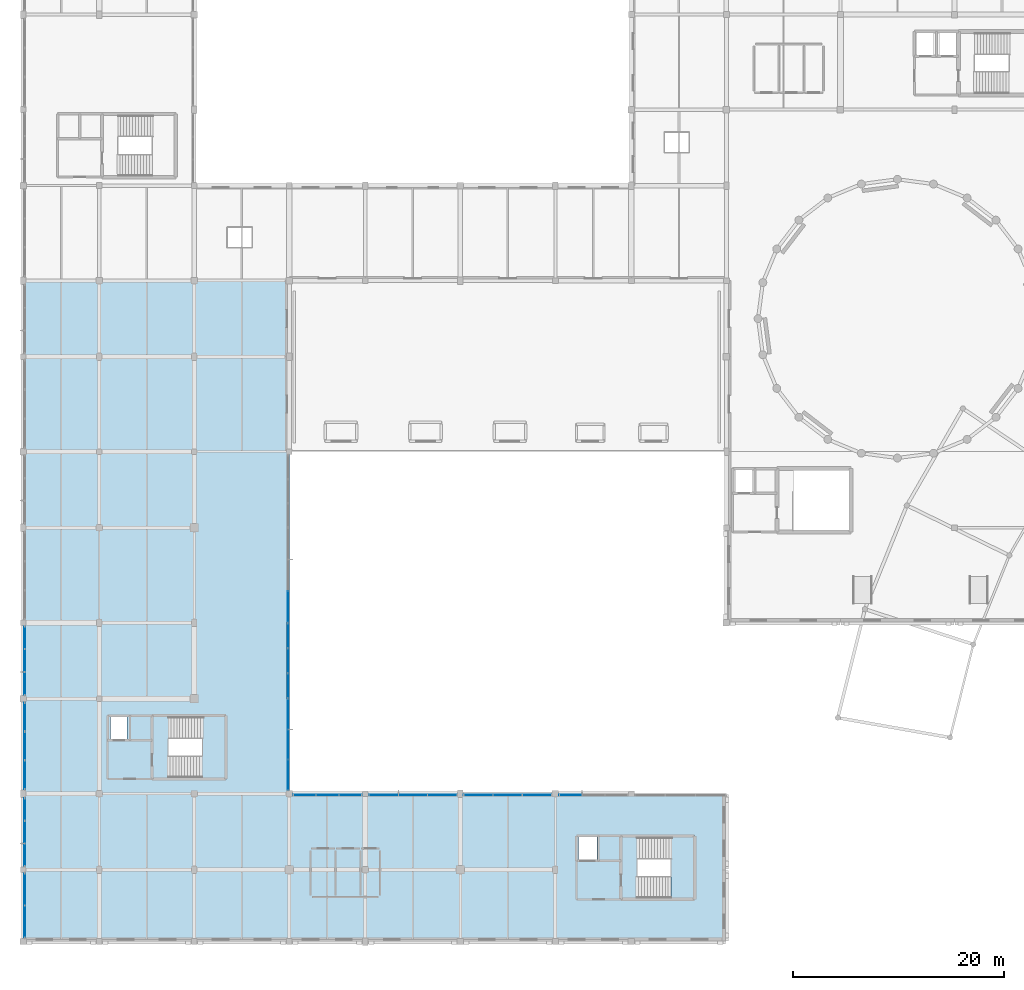
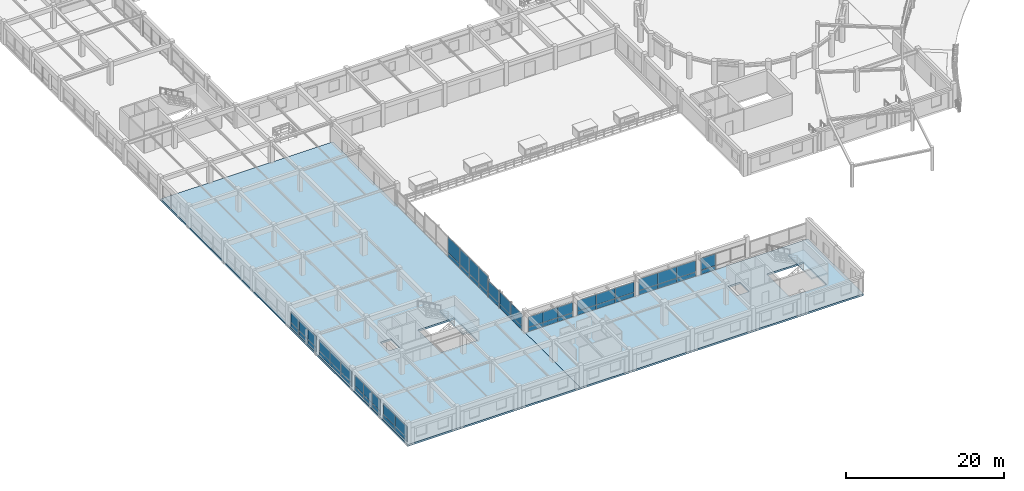
# One storey, part 42 of 74: 56 plates, 4 slabs, 13 elements without a shape of their own.
"""IFC4 building model written with IfcOpenShell, lengths in metres."""

from ifc_helpers import new_model, si_unit, direction, frame, frame_2d, origin, place, context, subcontext, project, spatial, polyline, rectangle, outline, extrude, material, layer, layer_set, type_object, element, aggregate, save


model = new_model("IFC4")

# Units and contexts
model_context = context("Model", 3, precision=1e-05, world=origin(), true_north=direction((0.0, 1.0)))
body_context = subcontext(model_context, "Body", "Model", "MODEL_VIEW")
ifc_project = project(units=[si_unit("LENGTHUNIT", "METRE"), si_unit("AREAUNIT", "SQUARE_METRE"), si_unit("VOLUMEUNIT", "CUBIC_METRE"), si_unit("PLANEANGLEUNIT", "RADIAN"), si_unit("MASSUNIT", "GRAM", prefix="KILO")], contexts=[model_context])

# Site, building, storey
site_placement = place(None, origin())
site = spatial("IfcSite", under=ifc_project, at=site_placement, CompositionType="ELEMENT")
building_placement = place(site_placement, origin())
building = spatial("IfcBuilding", under=site, at=building_placement, Name="Clarverna Civic Hall", CompositionType="ELEMENT")
storey_placement = place(building_placement, frame((0.0, 0.0, 9.60009765625)))
storey = spatial("IfcBuildingStorey", under=building, at=storey_placement, Name="L02", CompositionType="ELEMENT", Elevation=9.60009765625)

# Curtain wall, plates
ifc_material_1 = material(Name="Anodised Bronze Architectural Aluminium", Category="aluminium")
curtain_wall_type = type_object("IfcCurtainWallType", Name="CW-01", PredefinedType="USERDEFINED", material=ifc_material_1)
curtain_wall_1_placement = place(storey_placement, origin())
curtain_wall_1 = element("IfcCurtainWall", 1, at=curtain_wall_1_placement, inside=storey, type_object=curtain_wall_type, Name="CW-01-015", ObjectType="UNITISED CURTAIN WALL", PredefinedType="USERDEFINED")
ifc_material_2 = material(Name="Solar-Control Argon Low-E Double Glazing", Category="glass")
ifc_layer_1 = layer(ifc_material_2, 0.031982421875)
ifc_layer_set_1 = layer_set([ifc_layer_1], Name="Solar-Control Argon Low-E Double Glazing")
plate_type_1 = type_object("IfcPlateType", Name="CWP-01", PredefinedType="CURTAIN_PANEL", material=ifc_layer_set_1)
plate_1_placement = place(storey_placement, frame((0.139892578125, 0.387939453125, 0.764892578125), z_axis=(0.0, 0.0, 1.0), x_axis=(0.0, 1.0, 0.0)))
plate_1 = element("IfcPlate", 2, at=plate_1_placement, type_object=plate_type_1, Name="CWP-01-201", PredefinedType="CURTAIN_PANEL", context=body_context, shape_type="SweptSolid", body=[
    extrude(rectangle(XDim=3.009521484375, YDim=0.031982421875, at=frame_2d((1.5048828125, 0.0))), origin(), (0.0, 0.0, 1.0), 1.72509765625),
])
plate_2_placement = place(storey_placement, frame((0.139892578125, 3.427490234375, 0.764892578125), z_axis=(0.0, 0.0, 1.0), x_axis=(0.0, 1.0, 0.0)))
plate_2 = element("IfcPlate", 3, at=plate_2_placement, type_object=plate_type_1, Name="CWP-01-202", PredefinedType="CURTAIN_PANEL", context=body_context, shape_type="SweptSolid", body=[
    extrude(rectangle(XDim=3.009521484375, YDim=0.031982421875, at=frame_2d((1.5048828125, 0.0))), origin(), (0.0, 0.0, 1.0), 1.72509765625),
])

curtain_wall_2_placement = place(storey_placement, origin())
curtain_wall_2 = element("IfcCurtainWall", 4, at=curtain_wall_2_placement, inside=storey, type_object=curtain_wall_type, Name="CW-01-016", ObjectType="UNITISED CURTAIN WALL", PredefinedType="USERDEFINED")
plate_3_placement = place(storey_placement, frame((0.139892578125, 7.1630859375, 0.764892578125), z_axis=(0.0, 0.0, 1.0), x_axis=(0.0, 1.0, 0.0)))
plate_3 = element("IfcPlate", 5, at=plate_3_placement, type_object=plate_type_1, Name="CWP-01-203", PredefinedType="CURTAIN_PANEL", context=body_context, shape_type="SweptSolid", body=[
    extrude(rectangle(XDim=2.11279296875, YDim=0.031982421875, at=frame_2d((1.056396484375, 0.0))), origin(), (0.0, 0.0, 1.0), 1.72509765625),
])
plate_4_placement = place(storey_placement, frame((0.139892578125, 9.305908203125, 0.764892578125), z_axis=(0.0, 0.0, 1.0), x_axis=(0.0, 1.0, 0.0)))
plate_4 = element("IfcPlate", 6, at=plate_4_placement, type_object=plate_type_1, Name="CWP-01-204", PredefinedType="CURTAIN_PANEL", context=body_context, shape_type="SweptSolid", body=[
    extrude(rectangle(XDim=2.113037109375, YDim=0.031982421875, at=frame_2d((1.056640625, 0.0))), origin(), (0.0, 0.0, 1.0), 1.72509765625),
])
plate_5_placement = place(storey_placement, frame((0.139892578125, 11.448974609375, 0.764892578125), z_axis=(0.0, 0.0, 1.0), x_axis=(0.0, 1.0, 0.0)))
plate_5 = element("IfcPlate", 7, at=plate_5_placement, type_object=plate_type_1, Name="CWP-01-205", PredefinedType="CURTAIN_PANEL", context=body_context, shape_type="SweptSolid", body=[
    extrude(rectangle(XDim=2.113037109375, YDim=0.031982421875, at=frame_2d((1.056640625, 0.0))), origin(), (0.0, 0.0, 1.0), 1.72509765625),
])

curtain_wall_3_placement = place(storey_placement, origin())
curtain_wall_3 = element("IfcCurtainWall", 8, at=curtain_wall_3_placement, inside=storey, type_object=curtain_wall_type, Name="CW-01-017", ObjectType="UNITISED CURTAIN WALL", PredefinedType="USERDEFINED")
plate_6_placement = place(storey_placement, frame((0.139892578125, 14.43798828125, 0.764892578125), z_axis=(0.0, 0.0, 1.0), x_axis=(0.0, 1.0, 0.0)))
plate_6 = element("IfcPlate", 9, at=plate_6_placement, type_object=plate_type_1, Name="CWP-01-206", PredefinedType="CURTAIN_PANEL", context=body_context, shape_type="SweptSolid", body=[
    extrude(rectangle(XDim=2.70458984375, YDim=0.031982421875, at=frame_2d((1.352294921875, 0.0))), origin(), (0.0, 0.0, 1.0), 1.72509765625),
])
plate_7_placement = place(storey_placement, frame((0.139892578125, 17.172607421875, 0.764892578125), z_axis=(0.0, 0.0, 1.0), x_axis=(0.0, 1.0, 0.0)))
plate_7 = element("IfcPlate", 10, at=plate_7_placement, type_object=plate_type_1, Name="CWP-01-207", PredefinedType="CURTAIN_PANEL", context=body_context, shape_type="SweptSolid", body=[
    extrude(rectangle(XDim=2.70458984375, YDim=0.031982421875, at=frame_2d((1.352294921875, 0.0))), origin(), (0.0, 0.0, 1.0), 1.72509765625),
])
plate_8_placement = place(storey_placement, frame((0.139892578125, 19.9072265625, 0.764892578125), z_axis=(0.0, 0.0, 1.0), x_axis=(0.0, 1.0, 0.0)))
plate_8 = element("IfcPlate", 11, at=plate_8_placement, type_object=plate_type_1, Name="CWP-01-208", PredefinedType="CURTAIN_PANEL", context=body_context, shape_type="SweptSolid", body=[
    extrude(rectangle(XDim=2.704833984375, YDim=0.031982421875, at=frame_2d((1.3525390625, 0.0))), origin(), (0.0, 0.0, 1.0), 1.72509765625),
])

curtain_wall_4_placement = place(storey_placement, origin())
curtain_wall_4 = element("IfcCurtainWall", 12, at=curtain_wall_4_placement, inside=storey, type_object=curtain_wall_type, Name="CW-01-018", ObjectType="UNITISED CURTAIN WALL", PredefinedType="USERDEFINED")
plate_9_placement = place(storey_placement, frame((0.139892578125, 23.387939453125, 0.764892578125), z_axis=(0.0, 0.0, 1.0), x_axis=(0.0, 1.0, 0.0)))
plate_9 = element("IfcPlate", 13, at=plate_9_placement, type_object=plate_type_1, Name="CWP-01-209", PredefinedType="CURTAIN_PANEL", context=body_context, shape_type="SweptSolid", body=[
    extrude(rectangle(XDim=2.129638671875, YDim=0.031982421875, at=frame_2d((1.06494140625, 0.0))), origin(), (0.0, 0.0, 1.0), 1.695068359375),
])
plate_10_placement = place(storey_placement, frame((0.139892578125, 25.547607421875, 0.764892578125), z_axis=(0.0, 0.0, 1.0), x_axis=(0.0, 1.0, 0.0)))
plate_10 = element("IfcPlate", 14, at=plate_10_placement, type_object=plate_type_1, Name="CWP-01-210", PredefinedType="CURTAIN_PANEL", context=body_context, shape_type="SweptSolid", body=[
    extrude(rectangle(XDim=2.129638671875, YDim=0.031982421875, at=frame_2d((1.06494140625, 0.0))), origin(), (0.0, 0.0, 1.0), 1.695068359375),
])
plate_11_placement = place(storey_placement, frame((0.139892578125, 27.707275390625, 0.764892578125), z_axis=(0.0, 0.0, 1.0), x_axis=(0.0, 1.0, 0.0)))
plate_11 = element("IfcPlate", 15, at=plate_11_placement, type_object=plate_type_1, Name="CWP-01-211", PredefinedType="CURTAIN_PANEL", context=body_context, shape_type="SweptSolid", body=[
    extrude(rectangle(XDim=2.129638671875, YDim=0.031982421875, at=frame_2d((1.06494140625, 0.0))), origin(), (0.0, 0.0, 1.0), 1.695068359375),
])

# Curtain wall, plate
curtain_wall_5_placement = place(storey_placement, origin())
curtain_wall_5 = element("IfcCurtainWall", 16, at=curtain_wall_5_placement, inside=storey, type_object=curtain_wall_type, Name="CW-01-055", ObjectType="UNITISED CURTAIN WALL", PredefinedType="USERDEFINED")
plate_12_placement = place(storey_placement, frame((25.06005859375, 33.196044921875, 0.764892578125), z_axis=(0.0, 0.0, 1.0), x_axis=(0.0, -1.0, 0.0)))
plate_12 = element("IfcPlate", 17, at=plate_12_placement, type_object=plate_type_1, Name="CWP-01-340", PredefinedType="CURTAIN_PANEL", context=body_context, shape_type="SweptSolid", body=[
    extrude(rectangle(XDim=2.947998046875, YDim=0.031982421875, at=frame_2d((1.47412109375, 0.0))), origin(), (0.0, 0.0, 1.0), 2.445068359375),
])

# Curtain wall, plates
curtain_wall_6_placement = place(storey_placement, origin())
curtain_wall_6 = element("IfcCurtainWall", 18, at=curtain_wall_6_placement, inside=storey, type_object=curtain_wall_type, Name="CW-01-056", ObjectType="UNITISED CURTAIN WALL", PredefinedType="USERDEFINED")
plate_13_placement = place(storey_placement, frame((25.06005859375, 30.152099609375, 0.764892578125), z_axis=(0.0, 0.0, 1.0), x_axis=(0.0, -1.0, 0.0)))
plate_13 = element("IfcPlate", 19, at=plate_13_placement, type_object=plate_type_1, Name="CWP-01-341", PredefinedType="CURTAIN_PANEL", context=body_context, shape_type="SweptSolid", body=[
    extrude(rectangle(XDim=2.34814453125, YDim=0.031982421875, at=frame_2d((1.174072265625, 0.0))), origin(), (0.0, 0.0, 1.0), 2.445068359375),
])
plate_14_placement = place(storey_placement, frame((25.06005859375, 27.77392578125, 0.764892578125), z_axis=(0.0, 0.0, 1.0), x_axis=(0.0, -1.0, 0.0)))
plate_14 = element("IfcPlate", 20, at=plate_14_placement, type_object=plate_type_1, Name="CWP-01-342", PredefinedType="CURTAIN_PANEL", context=body_context, shape_type="SweptSolid", body=[
    extrude(rectangle(XDim=2.347900390625, YDim=0.031982421875, at=frame_2d((1.173828125, 0.0))), origin(), (0.0, 0.0, 1.0), 2.445068359375),
])
plate_15_placement = place(storey_placement, frame((25.06005859375, 25.39599609375, 0.764892578125), z_axis=(0.0, 0.0, 1.0), x_axis=(0.0, -1.0, 0.0)))
plate_15 = element("IfcPlate", 21, at=plate_15_placement, type_object=plate_type_1, Name="CWP-01-343", PredefinedType="CURTAIN_PANEL", context=body_context, shape_type="SweptSolid", body=[
    extrude(rectangle(XDim=2.347900390625, YDim=0.031982421875, at=frame_2d((1.173828125, 0.0))), origin(), (0.0, 0.0, 1.0), 2.445068359375),
])

curtain_wall_7_placement = place(storey_placement, origin())
curtain_wall_7 = element("IfcCurtainWall", 22, at=curtain_wall_7_placement, inside=storey, type_object=curtain_wall_type, Name="CW-01-057", ObjectType="UNITISED CURTAIN WALL", PredefinedType="USERDEFINED")
plate_16_placement = place(storey_placement, frame((25.06005859375, 22.951904296875, 0.764892578125), z_axis=(0.0, 0.0, 1.0), x_axis=(0.0, -1.0, 0.0)))
plate_16 = element("IfcPlate", 23, at=plate_16_placement, type_object=plate_type_1, Name="CWP-01-344", PredefinedType="CURTAIN_PANEL", context=body_context, shape_type="SweptSolid", body=[
    extrude(rectangle(XDim=2.834716796875, YDim=0.031982421875, at=frame_2d((1.41748046875, 0.0))), origin(), (0.0, 0.0, 1.0), 1.844970703125),
])
plate_17_placement = place(storey_placement, frame((25.06005859375, 20.08740234375, 0.764892578125), z_axis=(0.0, 0.0, 1.0), x_axis=(0.0, -1.0, 0.0)))
plate_17 = element("IfcPlate", 24, at=plate_17_placement, type_object=plate_type_1, Name="CWP-01-345", PredefinedType="CURTAIN_PANEL", context=body_context, shape_type="SweptSolid", body=[
    extrude(rectangle(XDim=2.834716796875, YDim=0.031982421875, at=frame_2d((1.41748046875, 0.0))), origin(), (0.0, 0.0, 1.0), 1.844970703125),
])
plate_18_placement = place(storey_placement, frame((25.06005859375, 17.22265625, 0.764892578125), z_axis=(0.0, 0.0, 1.0), x_axis=(0.0, -1.0, 0.0)))
plate_18 = element("IfcPlate", 25, at=plate_18_placement, type_object=plate_type_1, Name="CWP-01-346", PredefinedType="CURTAIN_PANEL", context=body_context, shape_type="SweptSolid", body=[
    extrude(rectangle(XDim=2.834716796875, YDim=0.031982421875, at=frame_2d((1.41748046875, 0.0))), origin(), (0.0, 0.0, 1.0), 1.844970703125),
])

curtain_wall_8_placement = place(storey_placement, origin())
curtain_wall_8 = element("IfcCurtainWall", 26, at=curtain_wall_8_placement, inside=storey, type_object=curtain_wall_type, Name="CW-01-058", ObjectType="UNITISED CURTAIN WALL", PredefinedType="USERDEFINED")
plate_19_placement = place(storey_placement, frame((25.587890625, 13.860107421875, 0.764892578125), z_axis=(0.0, 0.0, 1.0), x_axis=(1.0, 0.0, 0.0)))
plate_19 = element("IfcPlate", 27, at=plate_19_placement, type_object=plate_type_1, Name="CWP-01-347", PredefinedType="CURTAIN_PANEL", context=body_context, shape_type="SweptSolid", body=[
    extrude(rectangle(XDim=2.1298828125, YDim=0.031982421875, at=frame_2d((1.06494140625, 0.0))), origin(), (0.0, 0.0, 1.0), 1.594970703125),
])
plate_20_placement = place(storey_placement, frame((27.747802734375, 13.860107421875, 0.764892578125), z_axis=(0.0, 0.0, 1.0), x_axis=(1.0, 0.0, 0.0)))
plate_20 = element("IfcPlate", 28, at=plate_20_placement, type_object=plate_type_1, Name="CWP-01-348", PredefinedType="CURTAIN_PANEL", context=body_context, shape_type="SweptSolid", body=[
    extrude(rectangle(XDim=2.12939453125, YDim=0.031982421875, at=frame_2d((1.064697265625, 0.0))), origin(), (0.0, 0.0, 1.0), 1.594970703125),
])
plate_21_placement = place(storey_placement, frame((29.9072265625, 13.860107421875, 0.764892578125), z_axis=(0.0, 0.0, 1.0), x_axis=(1.0, 0.0, 0.0)))
plate_21 = element("IfcPlate", 29, at=plate_21_placement, type_object=plate_type_1, Name="CWP-01-349", PredefinedType="CURTAIN_PANEL", context=body_context, shape_type="SweptSolid", body=[
    extrude(rectangle(XDim=2.1298828125, YDim=0.031982421875, at=frame_2d((1.06494140625, 0.0))), origin(), (0.0, 0.0, 1.0), 1.594970703125),
])

curtain_wall_9_placement = place(storey_placement, origin())
curtain_wall_9 = element("IfcCurtainWall", 30, at=curtain_wall_9_placement, inside=storey, type_object=curtain_wall_type, Name="CW-01-059", ObjectType="UNITISED CURTAIN WALL", PredefinedType="USERDEFINED")
plate_22_placement = place(storey_placement, frame((32.762939453125, 13.860107421875, 0.764892578125), z_axis=(0.0, 0.0, 1.0), x_axis=(1.0, 0.0, 0.0)))
plate_22 = element("IfcPlate", 31, at=plate_22_placement, type_object=plate_type_1, Name="CWP-01-350", PredefinedType="CURTAIN_PANEL", context=body_context, shape_type="SweptSolid", body=[
    extrude(rectangle(XDim=2.746337890625, YDim=0.031982421875, at=frame_2d((1.373046875, 0.0))), origin(), (0.0, 0.0, 1.0), 1.594970703125),
])
plate_23_placement = place(storey_placement, frame((35.539306640625, 13.860107421875, 0.764892578125), z_axis=(0.0, 0.0, 1.0), x_axis=(1.0, 0.0, 0.0)))
plate_23 = element("IfcPlate", 32, at=plate_23_placement, type_object=plate_type_1, Name="CWP-01-351", PredefinedType="CURTAIN_PANEL", context=body_context, shape_type="SweptSolid", body=[
    extrude(rectangle(XDim=2.746337890625, YDim=0.031982421875, at=frame_2d((1.373046875, 0.0))), origin(), (0.0, 0.0, 1.0), 1.594970703125),
])
plate_24_placement = place(storey_placement, frame((38.315673828125, 13.860107421875, 0.764892578125), z_axis=(0.0, 0.0, 1.0), x_axis=(1.0, 0.0, 0.0)))
plate_24 = element("IfcPlate", 33, at=plate_24_placement, type_object=plate_type_1, Name="CWP-01-352", PredefinedType="CURTAIN_PANEL", context=body_context, shape_type="SweptSolid", body=[
    extrude(rectangle(XDim=2.746337890625, YDim=0.031982421875, at=frame_2d((1.373046875, 0.0))), origin(), (0.0, 0.0, 1.0), 1.594970703125),
])

curtain_wall_10_placement = place(storey_placement, origin())
curtain_wall_10 = element("IfcCurtainWall", 34, at=curtain_wall_10_placement, inside=storey, type_object=curtain_wall_type, Name="CW-01-060", ObjectType="UNITISED CURTAIN WALL", PredefinedType="USERDEFINED")
plate_25_placement = place(storey_placement, frame((41.738037109375, 13.860107421875, 0.764892578125), z_axis=(0.0, 0.0, 1.0), x_axis=(1.0, 0.0, 0.0)))
plate_25 = element("IfcPlate", 35, at=plate_25_placement, type_object=plate_type_1, Name="CWP-01-353", PredefinedType="CURTAIN_PANEL", context=body_context, shape_type="SweptSolid", body=[
    extrude(rectangle(XDim=2.738037109375, YDim=0.031982421875, at=frame_2d((1.369140625, 0.0))), origin(), (0.0, 0.0, 1.0), 1.764892578125),
])
plate_26_placement = place(storey_placement, frame((44.506103515625, 13.860107421875, 0.764892578125), z_axis=(0.0, 0.0, 1.0), x_axis=(1.0, 0.0, 0.0)))
plate_26 = element("IfcPlate", 36, at=plate_26_placement, type_object=plate_type_1, Name="CWP-01-354", PredefinedType="CURTAIN_PANEL", context=body_context, shape_type="SweptSolid", body=[
    extrude(rectangle(XDim=2.73779296875, YDim=0.031982421875, at=frame_2d((1.368896484375, 0.0))), origin(), (0.0, 0.0, 1.0), 1.764892578125),
])
plate_27_placement = place(storey_placement, frame((47.27392578125, 13.860107421875, 0.764892578125), z_axis=(0.0, 0.0, 1.0), x_axis=(1.0, 0.0, 0.0)))
plate_27 = element("IfcPlate", 37, at=plate_27_placement, type_object=plate_type_1, Name="CWP-01-355", PredefinedType="CURTAIN_PANEL", context=body_context, shape_type="SweptSolid", body=[
    extrude(rectangle(XDim=2.738037109375, YDim=0.031982421875, at=frame_2d((1.369140625, 0.0))), origin(), (0.0, 0.0, 1.0), 1.764892578125),
])

# Curtain wall, plate
curtain_wall_11_placement = place(storey_placement, origin())
curtain_wall_11 = element("IfcCurtainWall", 38, at=curtain_wall_11_placement, inside=storey, type_object=curtain_wall_type, Name="CW-01-061", ObjectType="UNITISED CURTAIN WALL", PredefinedType="USERDEFINED")
plate_28_placement = place(storey_placement, frame((50.7880859375, 13.860107421875, 0.764892578125), z_axis=(0.0, 0.0, 1.0), x_axis=(1.0, 0.0, 0.0)))
plate_28 = element("IfcPlate", 39, at=plate_28_placement, type_object=plate_type_1, Name="CWP-01-356", PredefinedType="CURTAIN_PANEL", context=body_context, shape_type="SweptSolid", body=[
    extrude(rectangle(XDim=2.129638671875, YDim=0.031982421875, at=frame_2d((1.06494140625, 0.0))), origin(), (0.0, 0.0, 1.0), 1.824951171875),
])

# Plate
ifc_material_3 = material(Name="Insulated Anodised Bronze Spandrel Panel", Category="aluminium")
ifc_layer_2 = layer(ifc_material_3, 0.048095703125)
ifc_layer_set_2 = layer_set([ifc_layer_2], Name="Insulated Anodised Bronze Spandrel Panel")
plate_type_2 = type_object("IfcPlateType", Name="CWP-03", PredefinedType="CURTAIN_PANEL", material=ifc_layer_set_2)
plate_29_placement = place(storey_placement, frame((0.139892578125, 0.387939453125, 0.10986328125), z_axis=(0.0, 0.0, 1.0), x_axis=(0.0, 1.0, 0.0)))
plate_29 = element("IfcPlate", 40, at=plate_29_placement, type_object=plate_type_2, Name="CWP-03-203", PredefinedType="CURTAIN_PANEL", context=body_context, shape_type="SweptSolid", body=[
    extrude(rectangle(XDim=3.009521484375, YDim=0.048095703125, at=frame_2d((1.5048828125, 0.0))), origin(), (0.0, 0.0, 1.0), 0.625),
])

plate_30_placement = place(storey_placement, frame((0.139892578125, 3.427490234375, 0.10986328125), z_axis=(0.0, 0.0, 1.0), x_axis=(0.0, 1.0, 0.0)))
plate_30 = element("IfcPlate", 41, at=plate_30_placement, type_object=plate_type_2, Name="CWP-03-204", PredefinedType="CURTAIN_PANEL", context=body_context, shape_type="SweptSolid", body=[
    extrude(rectangle(XDim=3.009521484375, YDim=0.048095703125, at=frame_2d((1.5048828125, 0.0))), origin(), (0.0, 0.0, 1.0), 0.625),
])

aggregate(curtain_wall_1, [plate_29, plate_1, plate_30, plate_2])

plate_31_placement = place(storey_placement, frame((0.139892578125, 7.1630859375, 0.10986328125), z_axis=(0.0, 0.0, 1.0), x_axis=(0.0, 1.0, 0.0)))
plate_31 = element("IfcPlate", 42, at=plate_31_placement, type_object=plate_type_2, Name="CWP-03-205", PredefinedType="CURTAIN_PANEL", context=body_context, shape_type="SweptSolid", body=[
    extrude(rectangle(XDim=2.11279296875, YDim=0.048095703125, at=frame_2d((1.056396484375, 0.0))), origin(), (0.0, 0.0, 1.0), 0.625),
])

plate_32_placement = place(storey_placement, frame((0.139892578125, 9.305908203125, 0.10986328125), z_axis=(0.0, 0.0, 1.0), x_axis=(0.0, 1.0, 0.0)))
plate_32 = element("IfcPlate", 43, at=plate_32_placement, type_object=plate_type_2, Name="CWP-03-206", PredefinedType="CURTAIN_PANEL", context=body_context, shape_type="SweptSolid", body=[
    extrude(rectangle(XDim=2.113037109375, YDim=0.048095703125, at=frame_2d((1.056640625, 0.0))), origin(), (0.0, 0.0, 1.0), 0.625),
])

plate_33_placement = place(storey_placement, frame((0.139892578125, 11.448974609375, 0.10986328125), z_axis=(0.0, 0.0, 1.0), x_axis=(0.0, 1.0, 0.0)))
plate_33 = element("IfcPlate", 44, at=plate_33_placement, type_object=plate_type_2, Name="CWP-03-207", PredefinedType="CURTAIN_PANEL", context=body_context, shape_type="SweptSolid", body=[
    extrude(rectangle(XDim=2.113037109375, YDim=0.048095703125, at=frame_2d((1.056640625, 0.0))), origin(), (0.0, 0.0, 1.0), 0.625),
])

aggregate(curtain_wall_2, [plate_31, plate_3, plate_32, plate_4, plate_33, plate_5])

plate_34_placement = place(storey_placement, frame((0.139892578125, 14.43798828125, 0.10986328125), z_axis=(0.0, 0.0, 1.0), x_axis=(0.0, 1.0, 0.0)))
plate_34 = element("IfcPlate", 45, at=plate_34_placement, type_object=plate_type_2, Name="CWP-03-208", PredefinedType="CURTAIN_PANEL", context=body_context, shape_type="SweptSolid", body=[
    extrude(rectangle(XDim=2.70458984375, YDim=0.048095703125, at=frame_2d((1.352294921875, 0.0))), origin(), (0.0, 0.0, 1.0), 0.625),
])

plate_35_placement = place(storey_placement, frame((0.139892578125, 17.172607421875, 0.10986328125), z_axis=(0.0, 0.0, 1.0), x_axis=(0.0, 1.0, 0.0)))
plate_35 = element("IfcPlate", 46, at=plate_35_placement, type_object=plate_type_2, Name="CWP-03-209", PredefinedType="CURTAIN_PANEL", context=body_context, shape_type="SweptSolid", body=[
    extrude(rectangle(XDim=2.70458984375, YDim=0.048095703125, at=frame_2d((1.352294921875, 0.0))), origin(), (0.0, 0.0, 1.0), 0.625),
])

plate_36_placement = place(storey_placement, frame((0.139892578125, 19.9072265625, 0.10986328125), z_axis=(0.0, 0.0, 1.0), x_axis=(0.0, 1.0, 0.0)))
plate_36 = element("IfcPlate", 47, at=plate_36_placement, type_object=plate_type_2, Name="CWP-03-210", PredefinedType="CURTAIN_PANEL", context=body_context, shape_type="SweptSolid", body=[
    extrude(rectangle(XDim=2.704833984375, YDim=0.048095703125, at=frame_2d((1.3525390625, 0.0))), origin(), (0.0, 0.0, 1.0), 0.625),
])

aggregate(curtain_wall_3, [plate_34, plate_6, plate_35, plate_7, plate_36, plate_8])

plate_37_placement = place(storey_placement, frame((0.139892578125, 23.387939453125, 0.10986328125), z_axis=(0.0, 0.0, 1.0), x_axis=(0.0, 1.0, 0.0)))
plate_37 = element("IfcPlate", 48, at=plate_37_placement, type_object=plate_type_2, Name="CWP-03-211", PredefinedType="CURTAIN_PANEL", context=body_context, shape_type="SweptSolid", body=[
    extrude(rectangle(XDim=2.129638671875, YDim=0.048095703125, at=frame_2d((1.06494140625, 0.0))), origin(), (0.0, 0.0, 1.0), 0.625),
])

plate_38_placement = place(storey_placement, frame((0.139892578125, 25.547607421875, 0.10986328125), z_axis=(0.0, 0.0, 1.0), x_axis=(0.0, 1.0, 0.0)))
plate_38 = element("IfcPlate", 49, at=plate_38_placement, type_object=plate_type_2, Name="CWP-03-212", PredefinedType="CURTAIN_PANEL", context=body_context, shape_type="SweptSolid", body=[
    extrude(rectangle(XDim=2.129638671875, YDim=0.048095703125, at=frame_2d((1.06494140625, 0.0))), origin(), (0.0, 0.0, 1.0), 0.625),
])

plate_39_placement = place(storey_placement, frame((0.139892578125, 27.707275390625, 0.10986328125), z_axis=(0.0, 0.0, 1.0), x_axis=(0.0, 1.0, 0.0)))
plate_39 = element("IfcPlate", 50, at=plate_39_placement, type_object=plate_type_2, Name="CWP-03-213", PredefinedType="CURTAIN_PANEL", context=body_context, shape_type="SweptSolid", body=[
    extrude(rectangle(XDim=2.129638671875, YDim=0.048095703125, at=frame_2d((1.06494140625, 0.0))), origin(), (0.0, 0.0, 1.0), 0.625),
])

aggregate(curtain_wall_4, [plate_37, plate_9, plate_38, plate_10, plate_39, plate_11])

plate_40_placement = place(storey_placement, frame((25.06005859375, 33.196044921875, 0.10986328125), z_axis=(0.0, 0.0, 1.0), x_axis=(0.0, -1.0, 0.0)))
plate_40 = element("IfcPlate", 51, at=plate_40_placement, type_object=plate_type_2, Name="CWP-03-342", PredefinedType="CURTAIN_PANEL", context=body_context, shape_type="SweptSolid", body=[
    extrude(rectangle(XDim=2.947998046875, YDim=0.048095703125, at=frame_2d((1.47412109375, 0.0))), origin(), (0.0, 0.0, 1.0), 0.625),
])

aggregate(curtain_wall_5, [plate_40, plate_12])

plate_41_placement = place(storey_placement, frame((25.06005859375, 30.152099609375, 0.10986328125), z_axis=(0.0, 0.0, 1.0), x_axis=(0.0, -1.0, 0.0)))
plate_41 = element("IfcPlate", 52, at=plate_41_placement, type_object=plate_type_2, Name="CWP-03-343", PredefinedType="CURTAIN_PANEL", context=body_context, shape_type="SweptSolid", body=[
    extrude(rectangle(XDim=2.34814453125, YDim=0.048095703125, at=frame_2d((1.174072265625, 0.0))), origin(), (0.0, 0.0, 1.0), 0.625),
])

plate_42_placement = place(storey_placement, frame((25.06005859375, 27.77392578125, 0.10986328125), z_axis=(0.0, 0.0, 1.0), x_axis=(0.0, -1.0, 0.0)))
plate_42 = element("IfcPlate", 53, at=plate_42_placement, type_object=plate_type_2, Name="CWP-03-344", PredefinedType="CURTAIN_PANEL", context=body_context, shape_type="SweptSolid", body=[
    extrude(rectangle(XDim=2.347900390625, YDim=0.048095703125, at=frame_2d((1.173828125, 0.0))), origin(), (0.0, 0.0, 1.0), 0.625),
])

plate_43_placement = place(storey_placement, frame((25.06005859375, 25.39599609375, 0.10986328125), z_axis=(0.0, 0.0, 1.0), x_axis=(0.0, -1.0, 0.0)))
plate_43 = element("IfcPlate", 54, at=plate_43_placement, type_object=plate_type_2, Name="CWP-03-345", PredefinedType="CURTAIN_PANEL", context=body_context, shape_type="SweptSolid", body=[
    extrude(rectangle(XDim=2.347900390625, YDim=0.048095703125, at=frame_2d((1.173828125, 0.0))), origin(), (0.0, 0.0, 1.0), 0.625),
])

aggregate(curtain_wall_6, [plate_41, plate_13, plate_42, plate_14, plate_43, plate_15])

plate_44_placement = place(storey_placement, frame((25.06005859375, 22.951904296875, 0.10986328125), z_axis=(0.0, 0.0, 1.0), x_axis=(0.0, -1.0, 0.0)))
plate_44 = element("IfcPlate", 55, at=plate_44_placement, type_object=plate_type_2, Name="CWP-03-346", PredefinedType="CURTAIN_PANEL", context=body_context, shape_type="SweptSolid", body=[
    extrude(rectangle(XDim=2.834716796875, YDim=0.048095703125, at=frame_2d((1.41748046875, 0.0))), origin(), (0.0, 0.0, 1.0), 0.625),
])

plate_45_placement = place(storey_placement, frame((25.06005859375, 20.08740234375, 0.10986328125), z_axis=(0.0, 0.0, 1.0), x_axis=(0.0, -1.0, 0.0)))
plate_45 = element("IfcPlate", 56, at=plate_45_placement, type_object=plate_type_2, Name="CWP-03-347", PredefinedType="CURTAIN_PANEL", context=body_context, shape_type="SweptSolid", body=[
    extrude(rectangle(XDim=2.834716796875, YDim=0.048095703125, at=frame_2d((1.41748046875, 0.0))), origin(), (0.0, 0.0, 1.0), 0.625),
])

plate_46_placement = place(storey_placement, frame((25.06005859375, 17.22265625, 0.10986328125), z_axis=(0.0, 0.0, 1.0), x_axis=(0.0, -1.0, 0.0)))
plate_46 = element("IfcPlate", 57, at=plate_46_placement, type_object=plate_type_2, Name="CWP-03-348", PredefinedType="CURTAIN_PANEL", context=body_context, shape_type="SweptSolid", body=[
    extrude(rectangle(XDim=2.834716796875, YDim=0.048095703125, at=frame_2d((1.41748046875, 0.0))), origin(), (0.0, 0.0, 1.0), 0.625),
])

aggregate(curtain_wall_7, [plate_44, plate_16, plate_45, plate_17, plate_46, plate_18])

plate_47_placement = place(storey_placement, frame((25.587890625, 13.860107421875, 0.10986328125), z_axis=(0.0, 0.0, 1.0), x_axis=(1.0, 0.0, 0.0)))
plate_47 = element("IfcPlate", 58, at=plate_47_placement, type_object=plate_type_2, Name="CWP-03-349", PredefinedType="CURTAIN_PANEL", context=body_context, shape_type="SweptSolid", body=[
    extrude(rectangle(XDim=2.1298828125, YDim=0.048095703125, at=frame_2d((1.06494140625, 0.0))), origin(), (0.0, 0.0, 1.0), 0.625),
])

plate_48_placement = place(storey_placement, frame((27.747802734375, 13.860107421875, 0.10986328125), z_axis=(0.0, 0.0, 1.0), x_axis=(1.0, 0.0, 0.0)))
plate_48 = element("IfcPlate", 59, at=plate_48_placement, type_object=plate_type_2, Name="CWP-03-350", PredefinedType="CURTAIN_PANEL", context=body_context, shape_type="SweptSolid", body=[
    extrude(rectangle(XDim=2.12939453125, YDim=0.048095703125, at=frame_2d((1.064697265625, 0.0))), origin(), (0.0, 0.0, 1.0), 0.625),
])

plate_49_placement = place(storey_placement, frame((29.9072265625, 13.860107421875, 0.10986328125), z_axis=(0.0, 0.0, 1.0), x_axis=(1.0, 0.0, 0.0)))
plate_49 = element("IfcPlate", 60, at=plate_49_placement, type_object=plate_type_2, Name="CWP-03-351", PredefinedType="CURTAIN_PANEL", context=body_context, shape_type="SweptSolid", body=[
    extrude(rectangle(XDim=2.1298828125, YDim=0.048095703125, at=frame_2d((1.06494140625, 0.0))), origin(), (0.0, 0.0, 1.0), 0.625),
])

aggregate(curtain_wall_8, [plate_47, plate_19, plate_48, plate_20, plate_49, plate_21])

plate_50_placement = place(storey_placement, frame((32.762939453125, 13.860107421875, 0.10986328125), z_axis=(0.0, 0.0, 1.0), x_axis=(1.0, 0.0, 0.0)))
plate_50 = element("IfcPlate", 61, at=plate_50_placement, type_object=plate_type_2, Name="CWP-03-352", PredefinedType="CURTAIN_PANEL", context=body_context, shape_type="SweptSolid", body=[
    extrude(rectangle(XDim=2.746337890625, YDim=0.048095703125, at=frame_2d((1.373046875, 0.0))), origin(), (0.0, 0.0, 1.0), 0.625),
])

plate_51_placement = place(storey_placement, frame((35.539306640625, 13.860107421875, 0.10986328125), z_axis=(0.0, 0.0, 1.0), x_axis=(1.0, 0.0, 0.0)))
plate_51 = element("IfcPlate", 62, at=plate_51_placement, type_object=plate_type_2, Name="CWP-03-353", PredefinedType="CURTAIN_PANEL", context=body_context, shape_type="SweptSolid", body=[
    extrude(rectangle(XDim=2.746337890625, YDim=0.048095703125, at=frame_2d((1.373046875, 0.0))), origin(), (0.0, 0.0, 1.0), 0.625),
])

plate_52_placement = place(storey_placement, frame((38.315673828125, 13.860107421875, 0.10986328125), z_axis=(0.0, 0.0, 1.0), x_axis=(1.0, 0.0, 0.0)))
plate_52 = element("IfcPlate", 63, at=plate_52_placement, type_object=plate_type_2, Name="CWP-03-354", PredefinedType="CURTAIN_PANEL", context=body_context, shape_type="SweptSolid", body=[
    extrude(rectangle(XDim=2.746337890625, YDim=0.048095703125, at=frame_2d((1.373046875, 0.0))), origin(), (0.0, 0.0, 1.0), 0.625),
])

aggregate(curtain_wall_9, [plate_50, plate_22, plate_51, plate_23, plate_52, plate_24])

plate_53_placement = place(storey_placement, frame((41.738037109375, 13.860107421875, 0.10986328125), z_axis=(0.0, 0.0, 1.0), x_axis=(1.0, 0.0, 0.0)))
plate_53 = element("IfcPlate", 64, at=plate_53_placement, type_object=plate_type_2, Name="CWP-03-355", PredefinedType="CURTAIN_PANEL", context=body_context, shape_type="SweptSolid", body=[
    extrude(rectangle(XDim=2.738037109375, YDim=0.048095703125, at=frame_2d((1.369140625, 0.0))), origin(), (0.0, 0.0, 1.0), 0.625),
])

plate_54_placement = place(storey_placement, frame((44.506103515625, 13.860107421875, 0.10986328125), z_axis=(0.0, 0.0, 1.0), x_axis=(1.0, 0.0, 0.0)))
plate_54 = element("IfcPlate", 65, at=plate_54_placement, type_object=plate_type_2, Name="CWP-03-356", PredefinedType="CURTAIN_PANEL", context=body_context, shape_type="SweptSolid", body=[
    extrude(rectangle(XDim=2.73779296875, YDim=0.048095703125, at=frame_2d((1.368896484375, 0.0))), origin(), (0.0, 0.0, 1.0), 0.625),
])

plate_55_placement = place(storey_placement, frame((47.27392578125, 13.860107421875, 0.10986328125), z_axis=(0.0, 0.0, 1.0), x_axis=(1.0, 0.0, 0.0)))
plate_55 = element("IfcPlate", 66, at=plate_55_placement, type_object=plate_type_2, Name="CWP-03-357", PredefinedType="CURTAIN_PANEL", context=body_context, shape_type="SweptSolid", body=[
    extrude(rectangle(XDim=2.738037109375, YDim=0.048095703125, at=frame_2d((1.369140625, 0.0))), origin(), (0.0, 0.0, 1.0), 0.625),
])

aggregate(curtain_wall_10, [plate_53, plate_25, plate_54, plate_26, plate_55, plate_27])

plate_56_placement = place(storey_placement, frame((50.7880859375, 13.860107421875, 0.10986328125), z_axis=(0.0, 0.0, 1.0), x_axis=(1.0, 0.0, 0.0)))
plate_56 = element("IfcPlate", 67, at=plate_56_placement, type_object=plate_type_2, Name="CWP-03-358", PredefinedType="CURTAIN_PANEL", context=body_context, shape_type="SweptSolid", body=[
    extrude(rectangle(XDim=2.129638671875, YDim=0.048095703125, at=frame_2d((1.06494140625, 0.0))), origin(), (0.0, 0.0, 1.0), 0.625),
])

aggregate(curtain_wall_11, [plate_56, plate_28])

# Slabs
ifc_material_4 = material(Name="Concrete C30/37", Category="concrete")
ifc_layer_3 = layer(ifc_material_4, 0.280029296875)
ifc_layer_set_3 = layer_set([ifc_layer_3], Name="Concrete C30/37")
slab_type_1 = type_object("IfcSlabType", Name="SL-FL4", PredefinedType="FLOOR", material=ifc_layer_set_3)
slab_1_placement = place(storey_placement, frame((0.0, 0.0, -0.280029296875)))
element("IfcSlab", 68, at=slab_1_placement, inside=storey, type_object=slab_type_1, Name="SL-FL4-014", PredefinedType="FLOOR", context=body_context, shape_type="SweptSolid", body=[
    extrude(outline(polyline([(0.0, 62.60009765625), (0.0, 0.0), (25.199951171875, 0.0), (25.199951171875, 62.60009765625), (16.199951171875, 62.60009765625), (0.0, 62.60009765625)]), holes=[polyline([(13.75, 15.52001953125), (19.14990234375, 15.52001953125), (19.14990234375, 21.280029296875), (13.75, 21.280029296875), (13.75, 15.52001953125)]), polyline([(8.27001953125, 19.139892578125), (9.830078125, 19.139892578125), (9.830078125, 21.300048828125), (8.27001953125, 21.300048828125), (8.27001953125, 19.139892578125)])]), origin(), (0.0, 0.0, 1.0), 0.280029296875),
])
slab_2_placement = place(storey_placement, frame((0.0, 0.0, -0.280029296875)))
element("IfcSlab", 69, at=slab_2_placement, inside=storey, type_object=slab_type_1, Name="SL-FL4-015", PredefinedType="FLOOR", context=body_context, shape_type="SweptSolid", body=[
    extrude(outline(polyline([(25.199951171875, 0.0), (66.574951171875, 0.0), (66.574951171875, 14.0), (25.199951171875, 14.0), (25.199951171875, 0.0)]), holes=[polyline([(58.14990234375, 4.1201171875), (63.550048828125, 4.1201171875), (63.550048828125, 9.8798828125), (58.14990234375, 9.8798828125), (58.14990234375, 4.1201171875)]), polyline([(52.570068359375, 7.639892578125), (54.330078125, 7.639892578125), (54.330078125, 10.0), (52.570068359375, 10.0), (52.570068359375, 7.639892578125)])]), origin(), (0.0, 0.0, 1.0), 0.280029296875),
])

# Stair, slab
stair_type_1 = type_object("IfcStairType", Name="ST-H2", PredefinedType="HALF_TURN_STAIR", material=ifc_material_4)
stair_1_placement = place(storey_placement, origin())
stair_1 = element("IfcStair", 70, at=stair_1_placement, inside=storey, type_object=stair_type_1, Name="ST-H2:L02:0005", PredefinedType="HALF_TURN_STAIR")
ifc_layer_4 = layer(ifc_material_4, 0.199951171875)
ifc_layer_set_4 = layer_set([ifc_layer_4], Name="Concrete C30/37")
slab_type_2 = type_object("IfcSlabType", Name="SL-LD1", PredefinedType="LANDING", material=ifc_layer_set_4)
slab_3_placement = place(storey_placement, frame((0.0, 0.0, 1.599853515625)))
slab_3 = element("IfcSlab", 71, at=slab_3_placement, type_object=slab_type_2, Name="SL-LD1-033", PredefinedType="LANDING", context=body_context, shape_type="SweptSolid", body=[
    extrude(outline(polyline([(61.340087890625, 4.02001953125), (63.64990234375, 4.02001953125), (63.64990234375, 9.97998046875), (61.340087890625, 9.97998046875), (61.340087890625, 4.02001953125)])), origin(), (0.0, 0.0, 1.0), 0.199951171875),
])
aggregate(stair_1, [slab_3])

stair_type_2 = type_object("IfcStairType", Name="ST-H1", PredefinedType="HALF_TURN_STAIR", material=ifc_material_4)
stair_2_placement = place(storey_placement, origin())
stair_2 = element("IfcStair", 72, at=stair_2_placement, inside=storey, type_object=stair_type_2, Name="ST-H1:L02:0018", PredefinedType="HALF_TURN_STAIR")
slab_4_placement = place(storey_placement, frame((0.0, 0.0, 1.599853515625)))
slab_4 = element("IfcSlab", 73, at=slab_4_placement, type_object=slab_type_2, Name="SL-LD1-037", PredefinedType="LANDING", context=body_context, shape_type="SweptSolid", body=[
    extrude(outline(polyline([(16.93994140625, 15.419921875), (19.25, 15.419921875), (19.25, 21.3798828125), (16.93994140625, 21.3798828125), (16.93994140625, 15.419921875)])), origin(), (0.0, 0.0, 1.0), 0.199951171875),
])
aggregate(stair_2, [slab_4])

save(model, "model.ifc")
